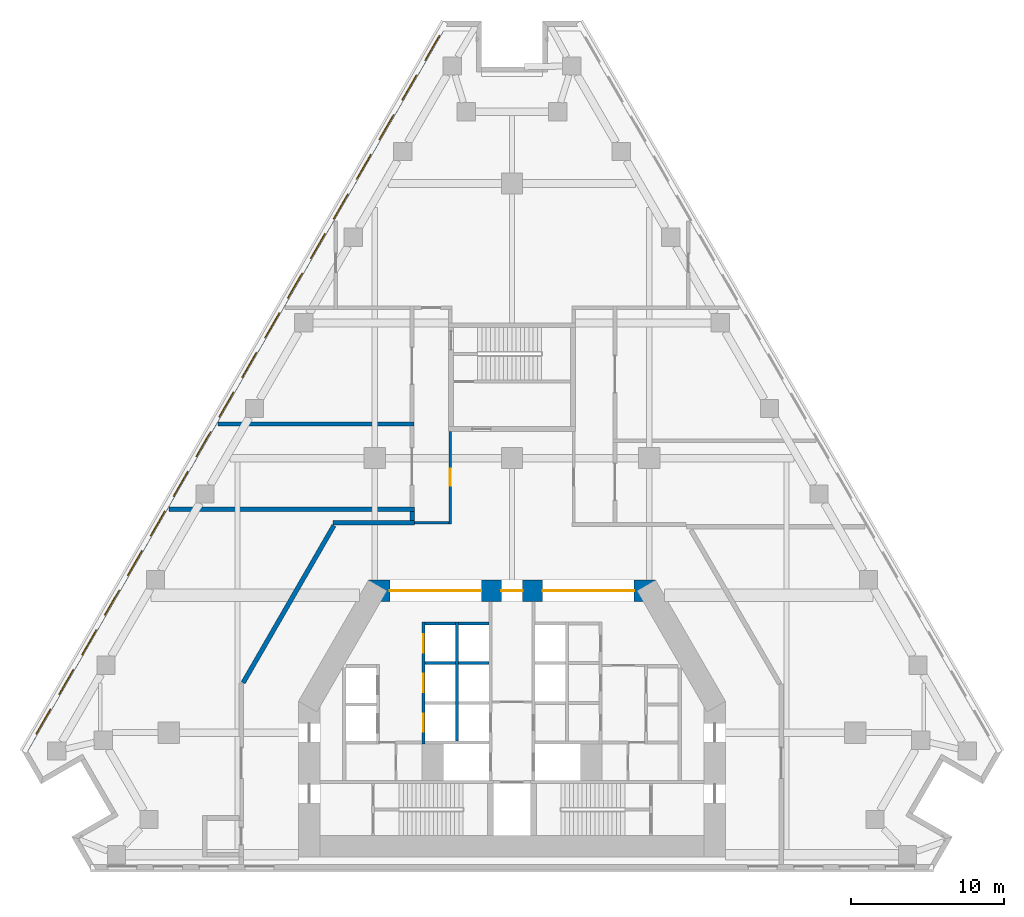
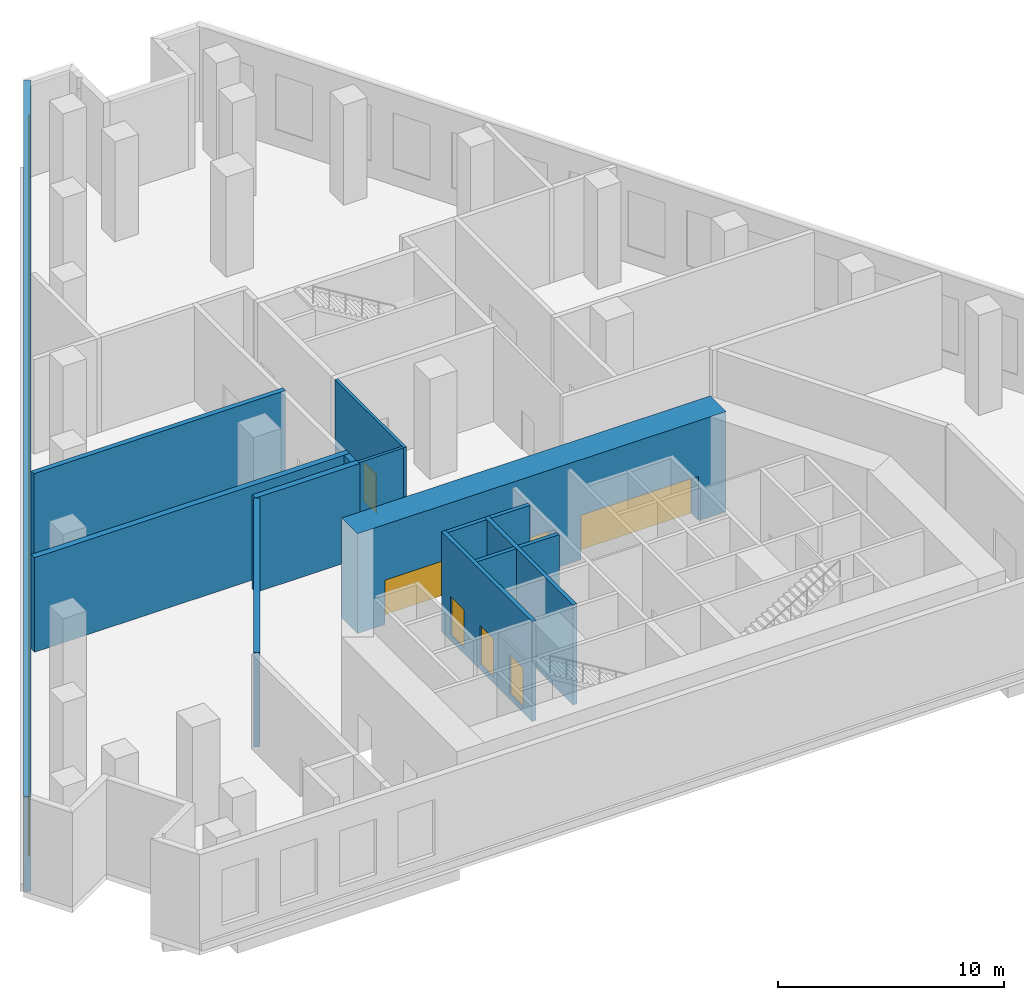
# One storey, part 5 of 10: 18 windows, 15 walls, 7 doors, 25 openings.
"""IFC4 building model written with IfcOpenShell, lengths in metres."""

from ifc_helpers import new_model, si_unit, direction, frame, frame_2d, origin, place, context, subcontext, project, spatial, rectangle, extrude, material, layer, layer_set, type_object, element, fill, save


model = new_model("IFC4")

# Units and contexts
model_context = context("Model", 3, precision=1e-05, world=origin(), true_north=direction((0.0, 1.0)))
body_context = subcontext(model_context, "Body", "Model", "MODEL_VIEW")
ifc_project = project(units=[si_unit("LENGTHUNIT", "METRE"), si_unit("AREAUNIT", "SQUARE_METRE"), si_unit("VOLUMEUNIT", "CUBIC_METRE"), si_unit("PLANEANGLEUNIT", "RADIAN"), si_unit("MASSUNIT", "GRAM", prefix="KILO")], contexts=[model_context])

# Site, building, storey
site_placement = place(None, origin())
site = spatial("IfcSite", under=ifc_project, at=site_placement, CompositionType="ELEMENT")
building_placement = place(site_placement, origin())
building = spatial("IfcBuilding", under=site, at=building_placement, Name="Fogline Exchange Tower", CompositionType="ELEMENT")
storey_placement = place(building_placement, frame((0.0, 0.0, 47.5)))
storey = spatial("IfcBuildingStorey", under=building, at=storey_placement, Name="L09", CompositionType="ELEMENT", Elevation=47.5)

# Wall, openings, doors
ifc_material_1 = material(Name="Concrete C40", Category="concrete")
ifc_layer_1 = layer(ifc_material_1, 0.199951171875)
ifc_layer_set_1 = layer_set([ifc_layer_1], Name="CW20S")
wall_type_1 = type_object("IfcWallType", Name="CW20S", PredefinedType="SOLIDWALL", material=ifc_layer_set_1)
wall_1_placement = place(storey_placement, frame((-5.800048828125, 8.25, -0.300048828125), z_axis=(0.0, 0.0, 1.0), x_axis=(0.0, 1.0, 0.0)))
wall_1 = element("IfcWall", 1, at=wall_1_placement, inside=storey, type_object=wall_type_1, Name="Lift shaft wall", PredefinedType="SOLIDWALL", context=body_context, shape_type="SweptSolid", body=[
    extrude(rectangle(XDim=8.0, YDim=0.199951171875, at=frame_2d((4.0, 0.0))), origin(), (0.0, 0.0, 1.0), 5.400146484375),
])
opening_1_placement = place(wall_1_placement, frame((0.800048828125, 0.0, 0.300048828125)))
opening_1 = element("IfcOpeningElement", 2, at=opening_1_placement, cuts=wall_1, Name="Opening L09-LD03", PredefinedType="OPENING", context=body_context, shape_type="SweptSolid", body=[
    extrude(rectangle(XDim=1.199951171875, YDim=2.10009765625, at=frame_2d((0.60009765625, 1.050048828125))), frame((0.0, 0.10986328125, 0.0), z_axis=(0.0, -1.0, 0.0), x_axis=(1.0, 0.0, 0.0)), (0.0, 0.0, 1.0), 0.219970703125),
])
opening_2_placement = place(wall_1_placement, frame((3.39990234375, 0.0, 0.300048828125)))
opening_2 = element("IfcOpeningElement", 3, at=opening_2_placement, cuts=wall_1, Name="Opening L09-LD04", PredefinedType="OPENING", context=body_context, shape_type="SweptSolid", body=[
    extrude(rectangle(XDim=1.199951171875, YDim=2.10009765625, at=frame_2d((0.60009765625, 1.050048828125))), frame((0.0, 0.10986328125, 0.0), z_axis=(0.0, -1.0, 0.0), x_axis=(1.0, 0.0, 0.0)), (0.0, 0.0, 1.0), 0.219970703125),
])
opening_3_placement = place(wall_1_placement, frame((6.0, 0.0, 0.300048828125)))
opening_3 = element("IfcOpeningElement", 4, at=opening_3_placement, cuts=wall_1, Name="Opening L09-LD05", PredefinedType="OPENING", context=body_context, shape_type="SweptSolid", body=[
    extrude(rectangle(XDim=1.199951171875, YDim=2.10009765625, at=frame_2d((0.60009765625, 1.050048828125))), frame((0.0, 0.10986328125, 0.0), z_axis=(0.0, -1.0, 0.0), x_axis=(1.0, 0.0, 0.0)), (0.0, 0.0, 1.0), 0.219970703125),
])
ifc_material_2 = material(Name="Steel and timber fire door", Category="steel")
door_type_1 = type_object("IfcDoorType", Name="LD1", OperationType="SLIDING_TO_LEFT", PredefinedType="DOOR", material=ifc_material_2)
door_1_placement = place(opening_1_placement, origin())
door_1 = element("IfcDoor", 5, at=door_1_placement, inside=storey, type_object=door_type_1, Name="Landing door LR3", OperationType="SLIDING_TO_LEFT", OverallHeight=2.10009765625, OverallWidth=1.199951171875, PredefinedType="DOOR", context=body_context, shape_type="SweptSolid", body=[
    extrude(rectangle(XDim=1.199951171875, YDim=2.10009765625, at=frame_2d((0.60009765625, 1.050048828125))), frame((0.0, 0.02490234375, 0.0), z_axis=(0.0, -1.0, 0.0), x_axis=(1.0, 0.0, 0.0)), (0.0, 0.0, 1.0), 0.050048828125),
])
fill(opening_1, door_1)
door_2_placement = place(opening_2_placement, origin())
door_2 = element("IfcDoor", 6, at=door_2_placement, inside=storey, type_object=door_type_1, Name="Landing door LR4", OperationType="SLIDING_TO_LEFT", OverallHeight=2.10009765625, OverallWidth=1.199951171875, PredefinedType="DOOR", context=body_context, shape_type="SweptSolid", body=[
    extrude(rectangle(XDim=1.199951171875, YDim=2.10009765625, at=frame_2d((0.60009765625, 1.050048828125))), frame((0.0, 0.02490234375, 0.0), z_axis=(0.0, -1.0, 0.0), x_axis=(1.0, 0.0, 0.0)), (0.0, 0.0, 1.0), 0.050048828125),
])
fill(opening_2, door_2)
door_3_placement = place(opening_3_placement, origin())
door_3 = element("IfcDoor", 7, at=door_3_placement, inside=storey, type_object=door_type_1, Name="Landing door LR5", OperationType="SLIDING_TO_LEFT", OverallHeight=2.10009765625, OverallWidth=1.199951171875, PredefinedType="DOOR", context=body_context, shape_type="SweptSolid", body=[
    extrude(rectangle(XDim=1.199951171875, YDim=2.10009765625, at=frame_2d((0.60009765625, 1.050048828125))), frame((0.0, 0.02490234375, 0.0), z_axis=(0.0, -1.0, 0.0), x_axis=(1.0, 0.0, 0.0)), (0.0, 0.0, 1.0), 0.050048828125),
])
fill(opening_3, door_3)

# Walls
wall_2_placement = place(storey_placement, frame((-3.60009765625, 8.449951171875, -0.300048828125), z_axis=(0.0, 0.0, 1.0), x_axis=(0.0, 1.0, 0.0)))
element("IfcWall", 8, at=wall_2_placement, inside=storey, type_object=wall_type_1, Name="Lift shaft wall", PredefinedType="SOLIDWALL", context=body_context, shape_type="SweptSolid", body=[
    extrude(rectangle(XDim=7.800048828125, YDim=0.199951171875, at=frame_2d((3.89990234375, 0.0))), origin(), (0.0, 0.0, 1.0), 5.400146484375),
])
for number, where, z_axis, x_axis, name in (
    (9, (-5.699951171875, 13.550048828125, -0.300048828125), (0.0, 0.0, 1.0), (1.0, 0.0, 0.0), "Lift shaft wall"),
    (10, (-5.699951171875, 16.14990234375, -0.300048828125), (0.0, 0.0, 1.0), (1.0, 0.0, 0.0), "Lift shaft wall"),
    (11, (-3.5, 13.550048828125, -0.300048828125), (0.0, 0.0, 1.0), (1.0, 0.0, 0.0), "Lift shaft wall"),
    (12, (-3.5, 16.14990234375, -0.300048828125), (0.0, 0.0, 1.0), (1.0, 0.0, 0.0), "Lift shaft wall"),
):
    element("IfcWall", number, at=place(storey_placement, frame(where, z_axis=z_axis, x_axis=x_axis)), inside=storey, type_object=wall_type_1, Name=name, PredefinedType="SOLIDWALL", context=body_context, shape_type="SweptSolid", body=[
        extrude(rectangle(XDim=2.0, YDim=0.199951171875, at=frame_2d((1.0, 0.0))), origin(), (0.0, 0.0, 1.0), 5.400146484375),
    ])

# Wall, openings, windows
ifc_material_3 = material(Name="Brick masonry", Category="masonry")
ifc_layer_2 = layer(ifc_material_3, 0.340087890625)
ifc_layer_set_2 = layer_set([ifc_layer_2], Name="FW3")
wall_type_2 = type_object("IfcWallType", Name="FW3", PredefinedType="SOLIDWALL", material=ifc_layer_set_2)
wall_3_placement = place(storey_placement, frame((-4.352783203125, 55.561767578125, 0.0), z_axis=(0.0, 0.0, 1.0), x_axis=(-0.500000125387, -0.866025331392, 0.0)))
wall_3 = element("IfcWall", 13, at=wall_3_placement, inside=storey, type_object=wall_type_2, Name="Brick wall L09 W", PredefinedType="SOLIDWALL", context=body_context, shape_type="SweptSolid", body=[
    extrude(rectangle(XDim=55.25537109375, YDim=0.340087890625, at=frame_2d((27.627685546875, 0.0))), origin(), (0.0, 0.0, 1.0), 5.10009765625),
])
opening_4_placement = place(wall_3_placement, frame((0.94140625, 0.0, 0.89990234375)))
opening_4 = element("IfcOpeningElement", 14, at=opening_4_placement, cuts=wall_3, Name="Opening W6", PredefinedType="OPENING", context=body_context, shape_type="SweptSolid", body=[
    extrude(rectangle(XDim=1.885009765625, YDim=3.0, at=frame_2d((0.9423828125, 1.5))), frame((0.0, 0.18017578125, 0.0), z_axis=(0.0, -1.0, 0.0), x_axis=(1.0, 0.0, 0.0)), (0.0, 0.0, 1.0), 0.360107421875),
])
opening_5_placement = place(wall_3_placement, frame((3.94140625, 0.0, 0.89990234375)))
opening_5 = element("IfcOpeningElement", 15, at=opening_5_placement, cuts=wall_3, Name="Opening W6", PredefinedType="OPENING", context=body_context, shape_type="SweptSolid", body=[
    extrude(rectangle(XDim=1.885009765625, YDim=3.0, at=frame_2d((0.9423828125, 1.5))), frame((0.0, 0.18017578125, 0.0), z_axis=(0.0, -1.0, 0.0), x_axis=(1.0, 0.0, 0.0)), (0.0, 0.0, 1.0), 0.360107421875),
])
opening_6_placement = place(wall_3_placement, frame((6.94140625, 0.0, 0.89990234375)))
opening_6 = element("IfcOpeningElement", 16, at=opening_6_placement, cuts=wall_3, Name="Opening W6", PredefinedType="OPENING", context=body_context, shape_type="SweptSolid", body=[
    extrude(rectangle(XDim=1.885009765625, YDim=3.0, at=frame_2d((0.9423828125, 1.5))), frame((0.0, 0.18017578125, 0.0), z_axis=(0.0, -1.0, 0.0), x_axis=(1.0, 0.0, 0.0)), (0.0, 0.0, 1.0), 0.360107421875),
])
opening_7_placement = place(wall_3_placement, frame((9.94140625, 0.0, 0.89990234375)))
opening_7 = element("IfcOpeningElement", 17, at=opening_7_placement, cuts=wall_3, Name="Opening W6", PredefinedType="OPENING", context=body_context, shape_type="SweptSolid", body=[
    extrude(rectangle(XDim=1.885009765625, YDim=3.0, at=frame_2d((0.9423828125, 1.5))), frame((0.0, 0.18017578125, 0.0), z_axis=(0.0, -1.0, 0.0), x_axis=(1.0, 0.0, 0.0)), (0.0, 0.0, 1.0), 0.360107421875),
])
opening_8_placement = place(wall_3_placement, frame((12.94140625, 0.0, 0.89990234375)))
opening_8 = element("IfcOpeningElement", 18, at=opening_8_placement, cuts=wall_3, Name="Opening W6", PredefinedType="OPENING", context=body_context, shape_type="SweptSolid", body=[
    extrude(rectangle(XDim=1.885009765625, YDim=3.0, at=frame_2d((0.9423828125, 1.5))), frame((0.0, 0.18017578125, 0.0), z_axis=(0.0, -1.0, 0.0), x_axis=(1.0, 0.0, 0.0)), (0.0, 0.0, 1.0), 0.360107421875),
])
opening_9_placement = place(wall_3_placement, frame((15.94140625, 0.0, 0.89990234375)))
opening_9 = element("IfcOpeningElement", 19, at=opening_9_placement, cuts=wall_3, Name="Opening W6", PredefinedType="OPENING", context=body_context, shape_type="SweptSolid", body=[
    extrude(rectangle(XDim=1.885009765625, YDim=3.0, at=frame_2d((0.9423828125, 1.5))), frame((0.0, 0.18017578125, 0.0), z_axis=(0.0, -1.0, 0.0), x_axis=(1.0, 0.0, 0.0)), (0.0, 0.0, 1.0), 0.360107421875),
])
opening_10_placement = place(wall_3_placement, frame((18.94140625, 0.0, 0.89990234375)))
opening_10 = element("IfcOpeningElement", 20, at=opening_10_placement, cuts=wall_3, Name="Opening W6", PredefinedType="OPENING", context=body_context, shape_type="SweptSolid", body=[
    extrude(rectangle(XDim=1.885009765625, YDim=3.0, at=frame_2d((0.9423828125, 1.5))), frame((0.0, 0.18017578125, 0.0), z_axis=(0.0, -1.0, 0.0), x_axis=(1.0, 0.0, 0.0)), (0.0, 0.0, 1.0), 0.360107421875),
])
opening_11_placement = place(wall_3_placement, frame((21.94140625, 0.0, 0.89990234375)))
opening_11 = element("IfcOpeningElement", 21, at=opening_11_placement, cuts=wall_3, Name="Opening W6", PredefinedType="OPENING", context=body_context, shape_type="SweptSolid", body=[
    extrude(rectangle(XDim=1.885009765625, YDim=3.0, at=frame_2d((0.9423828125, 1.5))), frame((0.0, 0.18017578125, 0.0), z_axis=(0.0, -1.0, 0.0), x_axis=(1.0, 0.0, 0.0)), (0.0, 0.0, 1.0), 0.360107421875),
])
opening_12_placement = place(wall_3_placement, frame((24.94140625, 0.0, 0.89990234375)))
opening_12 = element("IfcOpeningElement", 22, at=opening_12_placement, cuts=wall_3, Name="Opening W6", PredefinedType="OPENING", context=body_context, shape_type="SweptSolid", body=[
    extrude(rectangle(XDim=1.885009765625, YDim=3.0, at=frame_2d((0.9423828125, 1.5))), frame((0.0, 0.18017578125, 0.0), z_axis=(0.0, -1.0, 0.0), x_axis=(1.0, 0.0, 0.0)), (0.0, 0.0, 1.0), 0.360107421875),
])
opening_13_placement = place(wall_3_placement, frame((27.94140625, 0.0, 0.89990234375)))
opening_13 = element("IfcOpeningElement", 23, at=opening_13_placement, cuts=wall_3, Name="Opening W6", PredefinedType="OPENING", context=body_context, shape_type="SweptSolid", body=[
    extrude(rectangle(XDim=1.885009765625, YDim=3.0, at=frame_2d((0.9423828125, 1.5))), frame((0.0, 0.18017578125, 0.0), z_axis=(0.0, -1.0, 0.0), x_axis=(1.0, 0.0, 0.0)), (0.0, 0.0, 1.0), 0.360107421875),
])
opening_14_placement = place(wall_3_placement, frame((30.94140625, 0.0, 0.89990234375)))
opening_14 = element("IfcOpeningElement", 24, at=opening_14_placement, cuts=wall_3, Name="Opening W6", PredefinedType="OPENING", context=body_context, shape_type="SweptSolid", body=[
    extrude(rectangle(XDim=1.885009765625, YDim=3.0, at=frame_2d((0.9423828125, 1.5))), frame((0.0, 0.18017578125, 0.0), z_axis=(0.0, -1.0, 0.0), x_axis=(1.0, 0.0, 0.0)), (0.0, 0.0, 1.0), 0.360107421875),
])
opening_15_placement = place(wall_3_placement, frame((33.94140625, 0.0, 0.89990234375)))
opening_15 = element("IfcOpeningElement", 25, at=opening_15_placement, cuts=wall_3, Name="Opening W6", PredefinedType="OPENING", context=body_context, shape_type="SweptSolid", body=[
    extrude(rectangle(XDim=1.885009765625, YDim=3.0, at=frame_2d((0.9423828125, 1.5))), frame((0.0, 0.18017578125, 0.0), z_axis=(0.0, -1.0, 0.0), x_axis=(1.0, 0.0, 0.0)), (0.0, 0.0, 1.0), 0.360107421875),
])
opening_16_placement = place(wall_3_placement, frame((36.94140625, 0.0, 0.89990234375)))
opening_16 = element("IfcOpeningElement", 26, at=opening_16_placement, cuts=wall_3, Name="Opening W6", PredefinedType="OPENING", context=body_context, shape_type="SweptSolid", body=[
    extrude(rectangle(XDim=1.885009765625, YDim=3.0, at=frame_2d((0.9423828125, 1.5))), frame((0.0, 0.18017578125, 0.0), z_axis=(0.0, -1.0, 0.0), x_axis=(1.0, 0.0, 0.0)), (0.0, 0.0, 1.0), 0.360107421875),
])
opening_17_placement = place(wall_3_placement, frame((39.94140625, 0.0, 0.89990234375)))
opening_17 = element("IfcOpeningElement", 27, at=opening_17_placement, cuts=wall_3, Name="Opening W6", PredefinedType="OPENING", context=body_context, shape_type="SweptSolid", body=[
    extrude(rectangle(XDim=1.885009765625, YDim=3.0, at=frame_2d((0.9423828125, 1.5))), frame((0.0, 0.18017578125, 0.0), z_axis=(0.0, -1.0, 0.0), x_axis=(1.0, 0.0, 0.0)), (0.0, 0.0, 1.0), 0.360107421875),
])
opening_18_placement = place(wall_3_placement, frame((42.94140625, 0.0, 0.89990234375)))
opening_18 = element("IfcOpeningElement", 28, at=opening_18_placement, cuts=wall_3, Name="Opening W6", PredefinedType="OPENING", context=body_context, shape_type="SweptSolid", body=[
    extrude(rectangle(XDim=1.885009765625, YDim=3.0, at=frame_2d((0.9423828125, 1.5))), frame((0.0, 0.18017578125, 0.0), z_axis=(0.0, -1.0, 0.0), x_axis=(1.0, 0.0, 0.0)), (0.0, 0.0, 1.0), 0.360107421875),
])
opening_19_placement = place(wall_3_placement, frame((45.94140625, 0.0, 0.89990234375)))
opening_19 = element("IfcOpeningElement", 29, at=opening_19_placement, cuts=wall_3, Name="Opening W6", PredefinedType="OPENING", context=body_context, shape_type="SweptSolid", body=[
    extrude(rectangle(XDim=1.885009765625, YDim=3.0, at=frame_2d((0.9423828125, 1.5))), frame((0.0, 0.18017578125, 0.0), z_axis=(0.0, -1.0, 0.0), x_axis=(1.0, 0.0, 0.0)), (0.0, 0.0, 1.0), 0.360107421875),
])
opening_20_placement = place(wall_3_placement, frame((48.94140625, 0.0, 0.89990234375)))
opening_20 = element("IfcOpeningElement", 30, at=opening_20_placement, cuts=wall_3, Name="Opening W6", PredefinedType="OPENING", context=body_context, shape_type="SweptSolid", body=[
    extrude(rectangle(XDim=1.885009765625, YDim=3.0, at=frame_2d((0.9423828125, 1.5))), frame((0.0, 0.18017578125, 0.0), z_axis=(0.0, -1.0, 0.0), x_axis=(1.0, 0.0, 0.0)), (0.0, 0.0, 1.0), 0.360107421875),
])
opening_21_placement = place(wall_3_placement, frame((51.94140625, 0.0, 0.89990234375)))
opening_21 = element("IfcOpeningElement", 31, at=opening_21_placement, cuts=wall_3, Name="Opening W6", PredefinedType="OPENING", context=body_context, shape_type="SweptSolid", body=[
    extrude(rectangle(XDim=1.885009765625, YDim=3.0, at=frame_2d((0.9423828125, 1.5))), frame((0.0, 0.18017578125, 0.0), z_axis=(0.0, -1.0, 0.0), x_axis=(1.0, 0.0, 0.0)), (0.0, 0.0, 1.0), 0.360107421875),
])
ifc_material_4 = material(Name="Aluminium louvre", Category="aluminium")
window_type = type_object("IfcWindowType", Name="W6", PartitioningType="SINGLE_PANEL", PredefinedType="WINDOW", material=ifc_material_4)
window_1_placement = place(opening_4_placement, origin())
window_1 = element("IfcWindow", 32, at=window_1_placement, inside=storey, type_object=window_type, Name="W6 W6", OverallHeight=3.0, OverallWidth=1.885009765625, PartitioningType="SINGLE_PANEL", PredefinedType="WINDOW", context=body_context, shape_type="SweptSolid", body=[
    extrude(rectangle(XDim=1.885009765625, YDim=3.0, at=frame_2d((0.9423828125, 1.5))), frame((0.0, 0.110107421875, 0.0), z_axis=(0.0, -1.0, 0.0), x_axis=(1.0, 0.0, 0.0)), (0.0, 0.0, 1.0), 0.06005859375),
])
fill(opening_4, window_1)
window_2_placement = place(opening_5_placement, origin())
window_2 = element("IfcWindow", 33, at=window_2_placement, inside=storey, type_object=window_type, Name="W6 W6", OverallHeight=3.0, OverallWidth=1.885009765625, PartitioningType="SINGLE_PANEL", PredefinedType="WINDOW", context=body_context, shape_type="SweptSolid", body=[
    extrude(rectangle(XDim=1.885009765625, YDim=3.0, at=frame_2d((0.9423828125, 1.5))), frame((0.0, 0.110107421875, 0.0), z_axis=(0.0, -1.0, 0.0), x_axis=(1.0, 0.0, 0.0)), (0.0, 0.0, 1.0), 0.06005859375),
])
fill(opening_5, window_2)
window_3_placement = place(opening_6_placement, origin())
window_3 = element("IfcWindow", 34, at=window_3_placement, inside=storey, type_object=window_type, Name="W6 W6", OverallHeight=3.0, OverallWidth=1.885009765625, PartitioningType="SINGLE_PANEL", PredefinedType="WINDOW", context=body_context, shape_type="SweptSolid", body=[
    extrude(rectangle(XDim=1.885009765625, YDim=3.0, at=frame_2d((0.9423828125, 1.5))), frame((0.0, 0.110107421875, 0.0), z_axis=(0.0, -1.0, 0.0), x_axis=(1.0, 0.0, 0.0)), (0.0, 0.0, 1.0), 0.06005859375),
])
fill(opening_6, window_3)
window_4_placement = place(opening_7_placement, origin())
window_4 = element("IfcWindow", 35, at=window_4_placement, inside=storey, type_object=window_type, Name="W6 W6", OverallHeight=3.0, OverallWidth=1.885009765625, PartitioningType="SINGLE_PANEL", PredefinedType="WINDOW", context=body_context, shape_type="SweptSolid", body=[
    extrude(rectangle(XDim=1.885009765625, YDim=3.0, at=frame_2d((0.9423828125, 1.5))), frame((0.0, 0.110107421875, 0.0), z_axis=(0.0, -1.0, 0.0), x_axis=(1.0, 0.0, 0.0)), (0.0, 0.0, 1.0), 0.06005859375),
])
fill(opening_7, window_4)
window_5_placement = place(opening_8_placement, origin())
window_5 = element("IfcWindow", 36, at=window_5_placement, inside=storey, type_object=window_type, Name="W6 W6", OverallHeight=3.0, OverallWidth=1.885009765625, PartitioningType="SINGLE_PANEL", PredefinedType="WINDOW", context=body_context, shape_type="SweptSolid", body=[
    extrude(rectangle(XDim=1.885009765625, YDim=3.0, at=frame_2d((0.9423828125, 1.5))), frame((0.0, 0.110107421875, 0.0), z_axis=(0.0, -1.0, 0.0), x_axis=(1.0, 0.0, 0.0)), (0.0, 0.0, 1.0), 0.06005859375),
])
fill(opening_8, window_5)
window_6_placement = place(opening_9_placement, origin())
window_6 = element("IfcWindow", 37, at=window_6_placement, inside=storey, type_object=window_type, Name="W6 W6", OverallHeight=3.0, OverallWidth=1.885009765625, PartitioningType="SINGLE_PANEL", PredefinedType="WINDOW", context=body_context, shape_type="SweptSolid", body=[
    extrude(rectangle(XDim=1.885009765625, YDim=3.0, at=frame_2d((0.9423828125, 1.5))), frame((0.0, 0.110107421875, 0.0), z_axis=(0.0, -1.0, 0.0), x_axis=(1.0, 0.0, 0.0)), (0.0, 0.0, 1.0), 0.06005859375),
])
fill(opening_9, window_6)
window_7_placement = place(opening_10_placement, origin())
window_7 = element("IfcWindow", 38, at=window_7_placement, inside=storey, type_object=window_type, Name="W6 W6", OverallHeight=3.0, OverallWidth=1.885009765625, PartitioningType="SINGLE_PANEL", PredefinedType="WINDOW", context=body_context, shape_type="SweptSolid", body=[
    extrude(rectangle(XDim=1.885009765625, YDim=3.0, at=frame_2d((0.9423828125, 1.5))), frame((0.0, 0.110107421875, 0.0), z_axis=(0.0, -1.0, 0.0), x_axis=(1.0, 0.0, 0.0)), (0.0, 0.0, 1.0), 0.06005859375),
])
fill(opening_10, window_7)
window_8_placement = place(opening_11_placement, origin())
window_8 = element("IfcWindow", 39, at=window_8_placement, inside=storey, type_object=window_type, Name="W6 W6", OverallHeight=3.0, OverallWidth=1.885009765625, PartitioningType="SINGLE_PANEL", PredefinedType="WINDOW", context=body_context, shape_type="SweptSolid", body=[
    extrude(rectangle(XDim=1.885009765625, YDim=3.0, at=frame_2d((0.9423828125, 1.5))), frame((0.0, 0.110107421875, 0.0), z_axis=(0.0, -1.0, 0.0), x_axis=(1.0, 0.0, 0.0)), (0.0, 0.0, 1.0), 0.06005859375),
])
fill(opening_11, window_8)
window_9_placement = place(opening_12_placement, origin())
window_9 = element("IfcWindow", 40, at=window_9_placement, inside=storey, type_object=window_type, Name="W6 W6", OverallHeight=3.0, OverallWidth=1.885009765625, PartitioningType="SINGLE_PANEL", PredefinedType="WINDOW", context=body_context, shape_type="SweptSolid", body=[
    extrude(rectangle(XDim=1.885009765625, YDim=3.0, at=frame_2d((0.9423828125, 1.5))), frame((0.0, 0.110107421875, 0.0), z_axis=(0.0, -1.0, 0.0), x_axis=(1.0, 0.0, 0.0)), (0.0, 0.0, 1.0), 0.06005859375),
])
fill(opening_12, window_9)
window_10_placement = place(opening_13_placement, origin())
window_10 = element("IfcWindow", 41, at=window_10_placement, inside=storey, type_object=window_type, Name="W6 W6", OverallHeight=3.0, OverallWidth=1.885009765625, PartitioningType="SINGLE_PANEL", PredefinedType="WINDOW", context=body_context, shape_type="SweptSolid", body=[
    extrude(rectangle(XDim=1.885009765625, YDim=3.0, at=frame_2d((0.9423828125, 1.5))), frame((0.0, 0.110107421875, 0.0), z_axis=(0.0, -1.0, 0.0), x_axis=(1.0, 0.0, 0.0)), (0.0, 0.0, 1.0), 0.06005859375),
])
fill(opening_13, window_10)
window_11_placement = place(opening_14_placement, origin())
window_11 = element("IfcWindow", 42, at=window_11_placement, inside=storey, type_object=window_type, Name="W6 W6", OverallHeight=3.0, OverallWidth=1.885009765625, PartitioningType="SINGLE_PANEL", PredefinedType="WINDOW", context=body_context, shape_type="SweptSolid", body=[
    extrude(rectangle(XDim=1.885009765625, YDim=3.0, at=frame_2d((0.9423828125, 1.5))), frame((0.0, 0.110107421875, 0.0), z_axis=(0.0, -1.0, 0.0), x_axis=(1.0, 0.0, 0.0)), (0.0, 0.0, 1.0), 0.06005859375),
])
fill(opening_14, window_11)
window_12_placement = place(opening_15_placement, origin())
window_12 = element("IfcWindow", 43, at=window_12_placement, inside=storey, type_object=window_type, Name="W6 W6", OverallHeight=3.0, OverallWidth=1.885009765625, PartitioningType="SINGLE_PANEL", PredefinedType="WINDOW", context=body_context, shape_type="SweptSolid", body=[
    extrude(rectangle(XDim=1.885009765625, YDim=3.0, at=frame_2d((0.9423828125, 1.5))), frame((0.0, 0.110107421875, 0.0), z_axis=(0.0, -1.0, 0.0), x_axis=(1.0, 0.0, 0.0)), (0.0, 0.0, 1.0), 0.06005859375),
])
fill(opening_15, window_12)
window_13_placement = place(opening_16_placement, origin())
window_13 = element("IfcWindow", 44, at=window_13_placement, inside=storey, type_object=window_type, Name="W6 W6", OverallHeight=3.0, OverallWidth=1.885009765625, PartitioningType="SINGLE_PANEL", PredefinedType="WINDOW", context=body_context, shape_type="SweptSolid", body=[
    extrude(rectangle(XDim=1.885009765625, YDim=3.0, at=frame_2d((0.9423828125, 1.5))), frame((0.0, 0.110107421875, 0.0), z_axis=(0.0, -1.0, 0.0), x_axis=(1.0, 0.0, 0.0)), (0.0, 0.0, 1.0), 0.06005859375),
])
fill(opening_16, window_13)
window_14_placement = place(opening_17_placement, origin())
window_14 = element("IfcWindow", 45, at=window_14_placement, inside=storey, type_object=window_type, Name="W6 W6", OverallHeight=3.0, OverallWidth=1.885009765625, PartitioningType="SINGLE_PANEL", PredefinedType="WINDOW", context=body_context, shape_type="SweptSolid", body=[
    extrude(rectangle(XDim=1.885009765625, YDim=3.0, at=frame_2d((0.9423828125, 1.5))), frame((0.0, 0.110107421875, 0.0), z_axis=(0.0, -1.0, 0.0), x_axis=(1.0, 0.0, 0.0)), (0.0, 0.0, 1.0), 0.06005859375),
])
fill(opening_17, window_14)
window_15_placement = place(opening_18_placement, origin())
window_15 = element("IfcWindow", 46, at=window_15_placement, inside=storey, type_object=window_type, Name="W6 W6", OverallHeight=3.0, OverallWidth=1.885009765625, PartitioningType="SINGLE_PANEL", PredefinedType="WINDOW", context=body_context, shape_type="SweptSolid", body=[
    extrude(rectangle(XDim=1.885009765625, YDim=3.0, at=frame_2d((0.9423828125, 1.5))), frame((0.0, 0.110107421875, 0.0), z_axis=(0.0, -1.0, 0.0), x_axis=(1.0, 0.0, 0.0)), (0.0, 0.0, 1.0), 0.06005859375),
])
fill(opening_18, window_15)
window_16_placement = place(opening_19_placement, origin())
window_16 = element("IfcWindow", 47, at=window_16_placement, inside=storey, type_object=window_type, Name="W6 W6", OverallHeight=3.0, OverallWidth=1.885009765625, PartitioningType="SINGLE_PANEL", PredefinedType="WINDOW", context=body_context, shape_type="SweptSolid", body=[
    extrude(rectangle(XDim=1.885009765625, YDim=3.0, at=frame_2d((0.9423828125, 1.5))), frame((0.0, 0.110107421875, 0.0), z_axis=(0.0, -1.0, 0.0), x_axis=(1.0, 0.0, 0.0)), (0.0, 0.0, 1.0), 0.06005859375),
])
fill(opening_19, window_16)
window_17_placement = place(opening_20_placement, origin())
window_17 = element("IfcWindow", 48, at=window_17_placement, inside=storey, type_object=window_type, Name="W6 W6", OverallHeight=3.0, OverallWidth=1.885009765625, PartitioningType="SINGLE_PANEL", PredefinedType="WINDOW", context=body_context, shape_type="SweptSolid", body=[
    extrude(rectangle(XDim=1.885009765625, YDim=3.0, at=frame_2d((0.9423828125, 1.5))), frame((0.0, 0.110107421875, 0.0), z_axis=(0.0, -1.0, 0.0), x_axis=(1.0, 0.0, 0.0)), (0.0, 0.0, 1.0), 0.06005859375),
])
fill(opening_20, window_17)
window_18_placement = place(opening_21_placement, origin())
window_18 = element("IfcWindow", 49, at=window_18_placement, inside=storey, type_object=window_type, Name="W6 W6", OverallHeight=3.0, OverallWidth=1.885009765625, PartitioningType="SINGLE_PANEL", PredefinedType="WINDOW", context=body_context, shape_type="SweptSolid", body=[
    extrude(rectangle(XDim=1.885009765625, YDim=3.0, at=frame_2d((0.9423828125, 1.5))), frame((0.0, 0.110107421875, 0.0), z_axis=(0.0, -1.0, 0.0), x_axis=(1.0, 0.0, 0.0)), (0.0, 0.0, 1.0), 0.06005859375),
])
fill(opening_21, window_18)

# Wall, opening, door
ifc_material_5 = material(Name="Plasterboard on steel stud", Category="steel")
ifc_layer_3 = layer(ifc_material_5, 0.14990234375)
ifc_layer_set_3 = layer_set([ifc_layer_3], Name="PP1")
wall_type_3 = type_object("IfcWallType", Name="PP1", PredefinedType="PARTITIONING", material=ifc_layer_set_3)
wall_4_placement = place(storey_placement, frame((-4.050048828125, 22.675048828125, 0.0), z_axis=(0.0, 0.0, 1.0), x_axis=(0.0, 1.0, 0.0)))
wall_4 = element("IfcWall", 50, at=wall_4_placement, inside=storey, type_object=wall_type_3, Name="PP1 partition", PredefinedType="PARTITIONING", context=body_context, shape_type="SweptSolid", body=[
    extrude(rectangle(XDim=6.08203125, YDim=0.14990234375, at=frame_2d((3.041015625, 0.0))), origin(), (0.0, 0.0, 1.0), 5.10009765625),
])
opening_22_placement = place(wall_4_placement, frame((2.5185546875, 0.0, 0.0)))
opening_22 = element("IfcOpeningElement", 51, at=opening_22_placement, cuts=wall_4, Name="Opening L09-D002", PredefinedType="OPENING", context=body_context, shape_type="SweptSolid", body=[
    extrude(rectangle(XDim=1.10009765625, YDim=2.10009765625, at=frame_2d((0.550048828125, 1.050048828125))), frame((0.0, 0.0849609375, 0.0), z_axis=(0.0, -1.0, 0.0), x_axis=(1.0, 0.0, 0.0)), (0.0, 0.0, 1.0), 0.169921875),
])
ifc_material_6 = material(Name="Steel Q235B", Category="steel")
door_type_2 = type_object("IfcDoorType", Name="PD5", OperationType="SINGLE_SWING_LEFT", PredefinedType="DOOR", material=ifc_material_6)
door_4_placement = place(opening_22_placement, origin())
door_4 = element("IfcDoor", 52, at=door_4_placement, inside=storey, type_object=door_type_2, Name="L09-D002", OperationType="SINGLE_SWING_LEFT", OverallHeight=2.10009765625, OverallWidth=1.10009765625, PredefinedType="DOOR", context=body_context, shape_type="SweptSolid", body=[
    extrude(rectangle(XDim=1.10009765625, YDim=2.10009765625, at=frame_2d((0.550048828125, 1.050048828125))), frame((0.0, 0.02490234375, 0.0), z_axis=(0.0, -1.0, 0.0), x_axis=(1.0, 0.0, 0.0)), (0.0, 0.0, 1.0), 0.050048828125),
])
fill(opening_22, door_4)

# Walls
wall_5_placement = place(storey_placement, frame((-6.39990234375, 22.75, 0.0), z_axis=(0.0, 0.0, 1.0), x_axis=(1.0, 0.0, 0.0)))
element("IfcWall", 53, at=wall_5_placement, inside=storey, type_object=wall_type_3, Name="PP1 partition", PredefinedType="PARTITIONING", context=body_context, shape_type="SweptSolid", body=[
    extrude(rectangle(XDim=2.27490234375, YDim=0.14990234375, at=frame_2d((1.137451171875, 0.0))), origin(), (0.0, 0.0, 1.0), 5.10009765625),
])
ifc_layer_4 = layer(ifc_material_1, 0.25)
ifc_layer_set_4 = layer_set([ifc_layer_4], Name="PP3")
wall_type_4 = type_object("IfcWallType", Name="PP3", PredefinedType="SOLIDWALL", material=ifc_layer_set_4)
wall_6_placement = place(storey_placement, frame((-19.279296875, 29.242919921875, 0.0), z_axis=(0.0, 0.0, 1.0), x_axis=(1.0, 0.0, 0.0)))
element("IfcWall", 54, at=wall_6_placement, inside=storey, type_object=wall_type_4, Name="PP3 partition", PredefinedType="SOLIDWALL", context=body_context, shape_type="SweptSolid", body=[
    extrude(rectangle(XDim=12.854248046875, YDim=0.25, at=frame_2d((6.42724609375, 0.0))), origin(), (0.0, 0.0, 1.0), 5.10009765625),
])
ifc_layer_5 = layer(ifc_material_1, 0.300048828125)
ifc_layer_set_5 = layer_set([ifc_layer_5], Name="PP4")
wall_type_5 = type_object("IfcWallType", Name="PP4", PredefinedType="SOLIDWALL", material=ifc_layer_set_5)
wall_7_placement = place(storey_placement, frame((-22.494140625, 23.64990234375, 0.0), z_axis=(0.0, 0.0, 1.0), x_axis=(1.0, 0.0, 0.0)))
element("IfcWall", 55, at=wall_7_placement, inside=storey, type_object=wall_type_5, Name="PP4 partition", PredefinedType="SOLIDWALL", context=body_context, shape_type="SweptSolid", body=[
    extrude(rectangle(XDim=16.09423828125, YDim=0.300048828125, at=frame_2d((8.047119140625, 0.0))), origin(), (0.0, 0.0, 1.0), 5.10009765625),
])
wall_8_placement = place(storey_placement, frame((-17.626220703125, 12.27197265625, 0.0), z_axis=(0.0, 0.0, 1.0), x_axis=(0.500008476462, 0.866020509841, 0.0)))
element("IfcWall", 56, at=wall_8_placement, inside=storey, type_object=wall_type_5, Name="PP4 partition", PredefinedType="SOLIDWALL", context=body_context, shape_type="SweptSolid", body=[
    extrude(rectangle(XDim=11.895751953125, YDim=0.300048828125, at=frame_2d((5.94775390625, 0.0))), origin(), (0.0, 0.0, 1.0), 5.10009765625),
])
wall_9_placement = place(storey_placement, frame((-11.724853515625, 22.75, 0.0), z_axis=(0.0, 0.0, 1.0), x_axis=(1.0, 0.0, 0.0)))
element("IfcWall", 57, at=wall_9_placement, inside=storey, type_object=wall_type_5, Name="PP4 partition", PredefinedType="SOLIDWALL", context=body_context, shape_type="SweptSolid", body=[
    extrude(rectangle(XDim=5.324951171875, YDim=0.300048828125, at=frame_2d((2.66259765625, 0.0))), origin(), (0.0, 0.0, 1.0), 5.10009765625),
])
wall_10_placement = place(storey_placement, frame((-6.550048828125, 22.89990234375, 0.0), z_axis=(0.0, 0.0, 1.0), x_axis=(0.0, 1.0, 0.0)))
element("IfcWall", 58, at=wall_10_placement, inside=storey, type_object=wall_type_5, Name="PP4 partition", PredefinedType="SOLIDWALL", context=body_context, shape_type="SweptSolid", body=[
    extrude(rectangle(XDim=0.60009765625, YDim=0.300048828125, at=frame_2d((0.300048828125, 0.0))), origin(), (0.0, 0.0, 1.0), 5.10009765625),
])

# Wall, openings, doors
ifc_material_7 = material(Name="Concrete C60", Category="concrete")
ifc_layer_6 = layer(ifc_material_7, 1.39990234375)
ifc_layer_set_6 = layer_set([ifc_layer_6], Name="SW01")
wall_type_6 = type_object("IfcWallType", Name="SW01", PredefinedType="SHEAR", material=ifc_layer_set_6)
wall_11_placement = place(storey_placement, frame((9.41162109375, 18.300048828125, 0.0), z_axis=(0.0, 0.0, 1.0), x_axis=(-1.0, 0.0, 0.0)))
wall_11 = element("IfcWall", 59, at=wall_11_placement, inside=storey, type_object=wall_type_6, Name="L09-W904", PredefinedType="SHEAR", context=body_context, shape_type="SweptSolid", body=[
    extrude(rectangle(XDim=18.8232421875, YDim=1.39990234375, at=frame_2d((9.41162109375, 0.0))), origin(), (0.0, 0.0, 1.0), 5.39990234375),
])
opening_23_placement = place(wall_11_placement, frame((8.71142578125, 0.0, 0.0)))
opening_23 = element("IfcOpeningElement", 60, at=opening_23_placement, cuts=wall_11, Name="Opening L09-C019", PredefinedType="OPENING", context=body_context, shape_type="SweptSolid", body=[
    extrude(rectangle(XDim=1.39990234375, YDim=2.10009765625, at=frame_2d((0.699951171875, 1.050048828125))), frame((0.0, 0.7099609375, 0.0), z_axis=(0.0, -1.0, 0.0), x_axis=(1.0, 0.0, 0.0)), (0.0, 0.0, 1.0), 1.419921875),
])
opening_24_placement = place(wall_11_placement, frame((11.41162109375, 0.0, 0.0)))
opening_24 = element("IfcOpeningElement", 61, at=opening_24_placement, cuts=wall_11, Name="Opening L09-C020", PredefinedType="OPENING", context=body_context, shape_type="SweptSolid", body=[
    extrude(rectangle(XDim=6.0, YDim=2.39990234375, at=frame_2d((3.0, 1.199951171875))), frame((0.0, 0.7099609375, 0.0), z_axis=(0.0, -1.0, 0.0), x_axis=(1.0, 0.0, 0.0)), (0.0, 0.0, 1.0), 1.419921875),
])
opening_25_placement = place(wall_11_placement, frame((1.41162109375, 0.0, 0.0)))
opening_25 = element("IfcOpeningElement", 62, at=opening_25_placement, cuts=wall_11, Name="Opening L09-C021", PredefinedType="OPENING", context=body_context, shape_type="SweptSolid", body=[
    extrude(rectangle(XDim=6.0, YDim=2.39990234375, at=frame_2d((3.0, 1.199951171875))), frame((0.0, 0.7099609375, 0.0), z_axis=(0.0, -1.0, 0.0), x_axis=(1.0, 0.0, 0.0)), (0.0, 0.0, 1.0), 1.419921875),
])
door_type_3 = type_object("IfcDoorType", Name="D-LB1", OperationType="DOUBLE_DOOR_SINGLE_SWING", PredefinedType="DOOR", material=ifc_material_2)
door_5_placement = place(opening_23_placement, origin())
door_5 = element("IfcDoor", 63, at=door_5_placement, inside=storey, type_object=door_type_3, Name="Protected lobby door", OperationType="DOUBLE_DOOR_SINGLE_SWING", OverallHeight=2.10009765625, OverallWidth=1.39990234375, PredefinedType="DOOR", context=body_context, shape_type="SweptSolid", body=[
    extrude(rectangle(XDim=1.39990234375, YDim=2.10009765625, at=frame_2d((0.699951171875, 1.050048828125))), frame((0.0, 0.02490234375, 0.0), z_axis=(0.0, -1.0, 0.0), x_axis=(1.0, 0.0, 0.0)), (0.0, 0.0, 1.0), 0.050048828125),
])
fill(opening_23, door_5)
door_type_4 = type_object("IfcDoorType", Name="D-LE1", OperationType="DOUBLE_DOOR_SLIDING", PredefinedType="DOOR", material=ifc_material_2)
door_6_placement = place(opening_24_placement, origin())
door_6 = element("IfcDoor", 64, at=door_6_placement, inside=storey, type_object=door_type_4, Name="Lift lobby entrance west", OperationType="DOUBLE_DOOR_SLIDING", OverallHeight=2.39990234375, OverallWidth=6.0, PredefinedType="DOOR", context=body_context, shape_type="SweptSolid", body=[
    extrude(rectangle(XDim=6.0, YDim=2.39990234375, at=frame_2d((3.0, 1.199951171875))), frame((0.0, 0.02490234375, 0.0), z_axis=(0.0, -1.0, 0.0), x_axis=(1.0, 0.0, 0.0)), (0.0, 0.0, 1.0), 0.050048828125),
])
fill(opening_24, door_6)
door_7_placement = place(opening_25_placement, origin())
door_7 = element("IfcDoor", 65, at=door_7_placement, inside=storey, type_object=door_type_4, Name="Lift lobby entrance east", OperationType="DOUBLE_DOOR_SLIDING", OverallHeight=2.39990234375, OverallWidth=6.0, PredefinedType="DOOR", context=body_context, shape_type="SweptSolid", body=[
    extrude(rectangle(XDim=6.0, YDim=2.39990234375, at=frame_2d((3.0, 1.199951171875))), frame((0.0, 0.02490234375, 0.0), z_axis=(0.0, -1.0, 0.0), x_axis=(1.0, 0.0, 0.0)), (0.0, 0.0, 1.0), 0.050048828125),
])
fill(opening_25, door_7)

save(model, "model.ifc")
